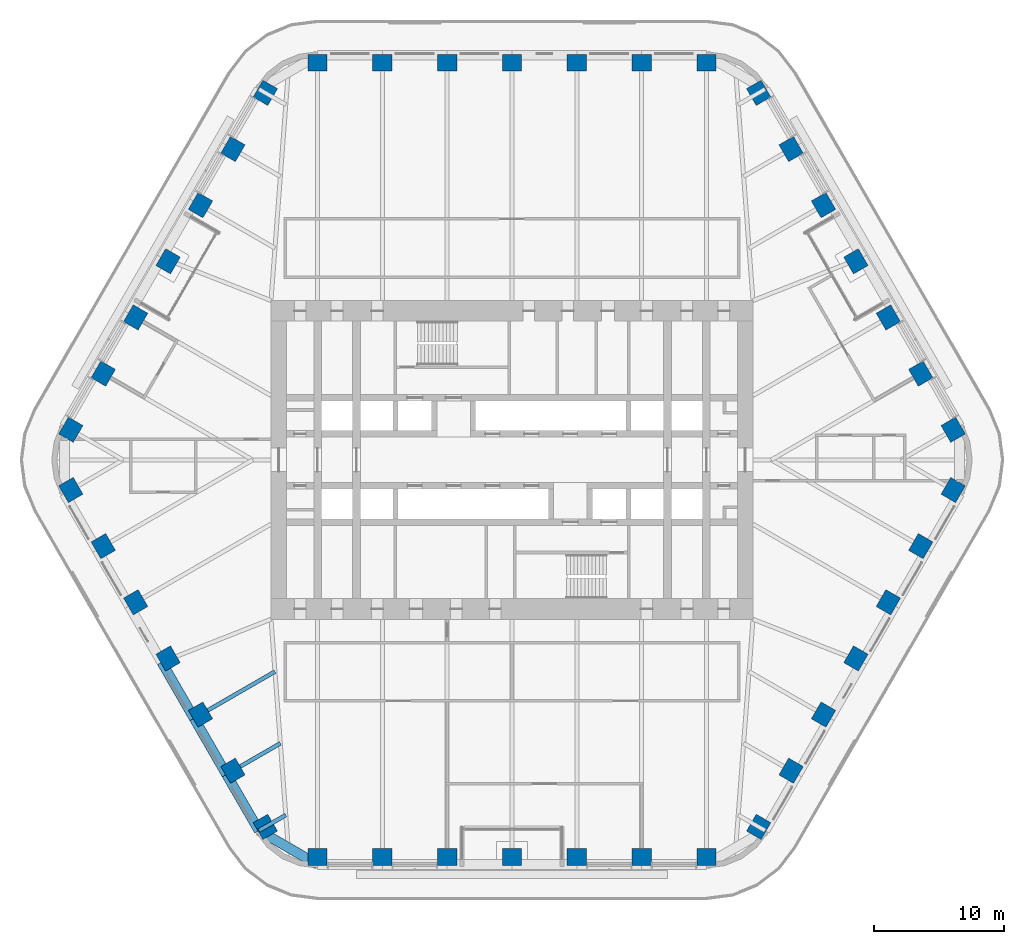
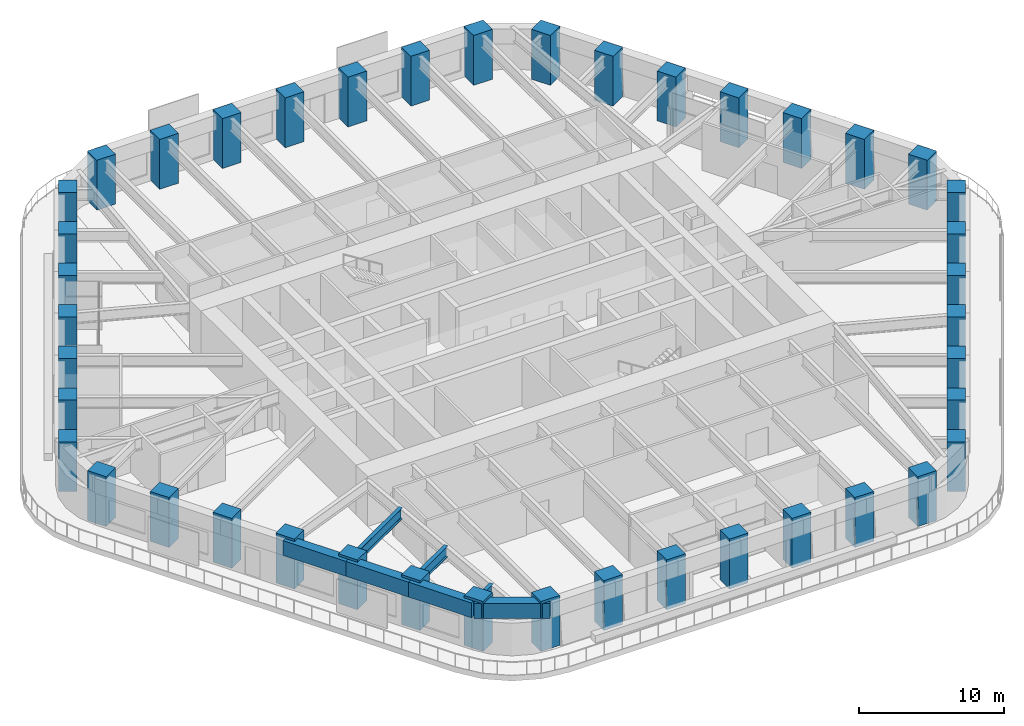
# One storey, part 1 of 24: 42 columns, 7 beams.
"""IFC4 building model written with IfcOpenShell, lengths in metres."""

from ifc_helpers import new_model, si_unit, direction, frame, origin, origin_2d, place, context, subcontext, project, spatial, rectangle, i_section, extrude, material, material_profile, profile_set, type_object, element, save


model = new_model("IFC4")

# Units and contexts
model_context = context("Model", 3, precision=1e-05, world=origin(), true_north=direction((0.0, 1.0)))
body_context = subcontext(model_context, "Body", "Model", "MODEL_VIEW")
ifc_project = project(units=[si_unit("LENGTHUNIT", "METRE"), si_unit("AREAUNIT", "SQUARE_METRE"), si_unit("VOLUMEUNIT", "CUBIC_METRE"), si_unit("PLANEANGLEUNIT", "RADIAN"), si_unit("MASSUNIT", "GRAM", prefix="KILO")], contexts=[model_context])

# Site, building, storey
site_placement = place(None, origin())
site = spatial("IfcSite", under=ifc_project, at=site_placement, CompositionType="ELEMENT")
building_placement = place(site_placement, origin())
building = spatial("IfcBuilding", under=site, at=building_placement, Name="Tarfa Lantern Tower", CompositionType="ELEMENT")
storey_placement = place(building_placement, frame((0.0, 0.0, 182.5)))
storey = spatial("IfcBuildingStorey", under=building, at=storey_placement, Name="L41", CompositionType="ELEMENT", Elevation=182.5)

# Columns
ifc_material_1 = material(Name="Concrete C80/95", Category="concrete")
ifc_material_profile_1 = material_profile(ifc_material_1, rectangle(XDim=1.5, YDim=1.300048828125, at=origin_2d()), Name="RC 1500x1300")
ifc_profile_set_1 = profile_set([ifc_material_profile_1], Name="Concrete C80/95")
column_type = type_object("IfcColumnType", Name="TC8 RC 1500x1300", PredefinedType="COLUMN", material=ifc_profile_set_1)
for number, where, z_axis, x_axis, name in (
    (1, (34.04931640625, 2.324951171875, 0.0), (0.0, 0.0, 1.0), (-0.5, 0.866025403784, 0.0), "Tube column NE0"),
    (2, (31.54736328125, 6.658447265625, 0.0), (0.0, 0.0, 1.0), (-0.5, 0.866025403784, 0.0), "Tube column NE1"),
    (3, (29.04541015625, 10.99169921875, 0.0), (0.0, 0.0, 1.0), (-0.5, 0.866025403784, 0.0), "Tube column NE2"),
    (4, (26.543701171875, 15.324951171875, 0.0), (0.0, 0.0, 1.0), (-0.5, 0.866025403784, 0.0), "Tube column NE3"),
    (5, (24.041748046875, 19.658447265625, 0.0), (0.0, 0.0, 1.0), (-0.5, 0.866025403784, 0.0), "Tube column NE4"),
    (6, (21.5400390625, 23.99169921875, 0.0), (0.0, 0.0, 1.0), (-0.5, 0.866025403784, 0.0), "Tube column NE5"),
    (7, (19.0380859375, 28.324951171875, 0.0), (0.0, 0.0, 1.0), (-0.5, 0.866025403784, 0.0), "Tube column NE6"),
    (8, (15.010986328125, 30.64990234375, 0.0), (0.0, 0.0, 1.0), (-1.0, 0.0, 0.0), "Tube column N0"),
    (9, (10.00732421875, 30.64990234375, 0.0), (0.0, 0.0, 1.0), (-1.0, 0.0, 0.0), "Tube column N1"),
    (10, (5.003662109375, 30.64990234375, 0.0), (0.0, 0.0, 1.0), (-1.0, 0.0, 0.0), "Tube column N2"),
    (11, (0.0, 30.64990234375, 0.0), (0.0, 0.0, 1.0), (-1.0, 0.0, 0.0), "Tube column N3"),
    (12, (-5.003662109375, 30.64990234375, 0.0), (0.0, 0.0, 1.0), (-1.0, 0.0, 0.0), "Tube column N4"),
    (13, (-10.00732421875, 30.64990234375, 0.0), (0.0, 0.0, 1.0), (-1.0, 0.0, 0.0), "Tube column N5"),
    (14, (-15.010986328125, 30.64990234375, 0.0), (0.0, 0.0, 1.0), (-1.0, 0.0, 0.0), "Tube column N6"),
    (15, (-19.0380859375, 28.324951171875, 0.0), (0.0, 0.0, 1.0), (-0.5, -0.866025403784, 0.0), "Tube column NW0"),
    (16, (-21.5400390625, 23.99169921875, 0.0), (0.0, 0.0, 1.0), (-0.5, -0.866025403784, 0.0), "Tube column NW1"),
    (17, (-24.041748046875, 19.658447265625, 0.0), (0.0, 0.0, 1.0), (-0.5, -0.866025403784, 0.0), "Tube column NW2"),
    (18, (-26.543701171875, 15.324951171875, 0.0), (0.0, 0.0, 1.0), (-0.5, -0.866025403784, 0.0), "Tube column NW3"),
    (19, (-29.04541015625, 10.99169921875, 0.0), (0.0, 0.0, 1.0), (-0.5, -0.866025403784, 0.0), "Tube column NW4"),
    (20, (-31.54736328125, 6.658447265625, 0.0), (0.0, 0.0, 1.0), (-0.5, -0.866025403784, 0.0), "Tube column NW5"),
    (21, (-34.04931640625, 2.324951171875, 0.0), (0.0, 0.0, 1.0), (-0.5, -0.866025403784, 0.0), "Tube column NW6"),
    (22, (-34.04931640625, -2.324951171875, 0.0), (0.0, 0.0, 1.0), (0.5, -0.866025403784, 0.0), "Tube column SW0"),
    (23, (-31.54736328125, -6.658447265625, 0.0), (0.0, 0.0, 1.0), (0.5, -0.866025403784, 0.0), "Tube column SW1"),
    (24, (-29.04541015625, -10.99169921875, 0.0), (0.0, 0.0, 1.0), (0.5, -0.866025403784, 0.0), "Tube column SW2"),
    (25, (-26.543701171875, -15.324951171875, 0.0), (0.0, 0.0, 1.0), (0.5, -0.866025403784, 0.0), "Tube column SW3"),
    (26, (-24.041748046875, -19.658447265625, 0.0), (0.0, 0.0, 1.0), (0.5, -0.866025403784, 0.0), "Tube column SW4"),
    (27, (-21.5400390625, -23.99169921875, 0.0), (0.0, 0.0, 1.0), (0.5, -0.866025403784, 0.0), "Tube column SW5"),
    (28, (-19.0380859375, -28.324951171875, 0.0), (0.0, 0.0, 1.0), (0.5, -0.866025403784, 0.0), "Tube column SW6"),
    (29, (-15.010986328125, -30.64990234375, 0.0), (0.0, 0.0, 1.0), (1.0, 0.0, 0.0), "Tube column S0"),
    (30, (-10.00732421875, -30.64990234375, 0.0), (0.0, 0.0, 1.0), (1.0, 0.0, 0.0), "Tube column S1"),
    (31, (-5.003662109375, -30.64990234375, 0.0), (0.0, 0.0, 1.0), (1.0, 0.0, 0.0), "Tube column S2"),
    (32, (0.0, -30.64990234375, 0.0), (0.0, 0.0, 1.0), (1.0, 0.0, 0.0), "Tube column S3"),
    (33, (5.003662109375, -30.64990234375, 0.0), (0.0, 0.0, 1.0), (1.0, 0.0, 0.0), "Tube column S4"),
    (34, (10.00732421875, -30.64990234375, 0.0), (0.0, 0.0, 1.0), (1.0, 0.0, 0.0), "Tube column S5"),
    (35, (15.010986328125, -30.64990234375, 0.0), (0.0, 0.0, 1.0), (1.0, 0.0, 0.0), "Tube column S6"),
    (36, (19.0380859375, -28.324951171875, 0.0), (0.0, 0.0, 1.0), (0.5, 0.866025403784, 0.0), "Tube column SE0"),
    (37, (21.5400390625, -23.99169921875, 0.0), (0.0, 0.0, 1.0), (0.5, 0.866025403784, 0.0), "Tube column SE1"),
    (38, (24.041748046875, -19.658447265625, 0.0), (0.0, 0.0, 1.0), (0.5, 0.866025403784, 0.0), "Tube column SE2"),
    (39, (26.543701171875, -15.324951171875, 0.0), (0.0, 0.0, 1.0), (0.5, 0.866025403784, 0.0), "Tube column SE3"),
    (40, (29.04541015625, -10.99169921875, 0.0), (0.0, 0.0, 1.0), (0.5, 0.866025403784, 0.0), "Tube column SE4"),
    (41, (31.54736328125, -6.658447265625, 0.0), (0.0, 0.0, 1.0), (0.5, 0.866025403784, 0.0), "Tube column SE5"),
    (42, (34.04931640625, -2.324951171875, 0.0), (0.0, 0.0, 1.0), (0.5, 0.866025403784, 0.0), "Tube column SE6"),
):
    element("IfcColumn", number, at=place(storey_placement, frame(where, z_axis=z_axis, x_axis=x_axis)), inside=storey, type_object=column_type, Name=name, PredefinedType="COLUMN", context=body_context, shape_type="SweptSolid", body=[
        extrude(rectangle(XDim=1.5, YDim=1.300048828125, at=origin_2d()), origin(), (0.0, 0.0, 1.0), 4.199951171875),
    ])

# Beams
ifc_material_profile_2 = material_profile(ifc_material_1, rectangle(XDim=0.75, YDim=1.25, at=origin_2d()), Name="RC 750x1250")
ifc_profile_set_2 = profile_set([ifc_material_profile_2], Name="Concrete C80/95")
beam_type_1 = type_object("IfcBeamType", Name="EB2 RC 750x1250", PredefinedType="SPANDREL", material=ifc_profile_set_2)
for number, where, z_axis, x_axis, name in (
    (43, (-27.037353515625, -15.610107421875, 3.375), (0.500022324899, -0.866012514114, 0.0), (0.866012514114, 0.500022324899, 0.0), "Edge beam SW3"),
    (44, (-24.535400390625, -19.943359375, 3.375), (0.49998573051, -0.866033642122, 0.0), (0.866033642122, 0.49998573051, 0.0), "Edge beam SW4"),
):
    element("IfcBeam", number, at=place(storey_placement, frame(where, z_axis=z_axis, x_axis=x_axis)), inside=storey, type_object=beam_type_1, Name=name, PredefinedType="SPANDREL", context=body_context, shape_type="SweptSolid", body=[
        extrude(rectangle(XDim=0.75, YDim=1.25, at=origin_2d()), origin(), (0.0, 0.0, 1.0), 5.003662109375),
    ])
beam_1_placement = place(storey_placement, frame((-22.03369140625, -24.276611328125, 3.375), z_axis=(0.500001197378, -0.866024712477, 0.0), x_axis=(0.866024712477, 0.500001197378, 0.0)))
element("IfcBeam", 45, at=beam_1_placement, inside=storey, type_object=beam_type_1, Name="Edge beam SW5", PredefinedType="SPANDREL", context=body_context, shape_type="SweptSolid", body=[
    extrude(rectangle(XDim=0.75, YDim=1.25, at=origin_2d()), origin(), (0.0, 0.0, 1.0), 5.00390625),
])
beam_2_placement = place(storey_placement, frame((-19.53173828125, -28.610107421875, 3.375), z_axis=(0.86604150238, -0.499972115377, 0.0), x_axis=(0.499972115377, 0.86604150238, 0.0)))
element("IfcBeam", 46, at=beam_2_placement, inside=storey, type_object=beam_type_1, Name="Edge beam SW6", PredefinedType="SPANDREL", context=body_context, shape_type="SweptSolid", body=[
    extrude(rectangle(XDim=0.75, YDim=1.25, at=origin_2d()), origin(), (0.0, 0.0, 1.0), 5.219970703125),
])
ifc_material_2 = material(Name="Steel S460M", Category="steel")
ifc_material_profile_3 = material_profile(ifc_material_2, i_section(OverallWidth=0.305419921875, OverallDepth=0.91845703125, WebThickness=0.017333984375, FlangeThickness=0.02783203125, FilletRadius=0.01904296875, at=origin_2d()), Name="UB914x305x253")
ifc_profile_set_3 = profile_set([ifc_material_profile_3], Name="Steel S460M")
beam_type_2 = type_object("IfcBeamType", Name="UB914x305x253", PredefinedType="BEAM", material=ifc_profile_set_3)
beam_3_placement = place(storey_placement, frame((-24.535400390625, -19.943359375, 3.540771484375), z_axis=(0.86602647304, 0.499998147991, 0.0), x_axis=(-0.499998147991, 0.86602647304, 0.0)))
element("IfcBeam", 47, at=beam_3_placement, inside=storey, type_object=beam_type_2, Name="Floor beam SW4", PredefinedType="BEAM", context=body_context, shape_type="SweptSolid", body=[
    extrude(i_section(OverallWidth=0.305419921875, OverallDepth=0.91845703125, WebThickness=0.017333984375, FlangeThickness=0.02783203125, FilletRadius=0.01904296875, at=origin_2d()), origin(), (0.0, 0.0, 1.0), 7.20556640625),
])
beam_4_placement = place(storey_placement, frame((-22.03369140625, -24.276611328125, 3.540771484375), z_axis=(0.866030550462, 0.499991085587, 0.0), x_axis=(-0.499991085587, 0.866030550462, 0.0)))
element("IfcBeam", 48, at=beam_4_placement, inside=storey, type_object=beam_type_2, Name="Floor beam SW5", PredefinedType="BEAM", context=body_context, shape_type="SweptSolid", body=[
    extrude(i_section(OverallWidth=0.305419921875, OverallDepth=0.91845703125, WebThickness=0.017333984375, FlangeThickness=0.02783203125, FilletRadius=0.01904296875, at=origin_2d()), origin(), (0.0, 0.0, 1.0), 4.798828125),
])
beam_5_placement = place(storey_placement, frame((-19.53173828125, -28.610107421875, 3.540771484375), z_axis=(0.865998640954, 0.500046351717, 0.0), x_axis=(-0.500046351717, 0.865998640954, 0.0)))
element("IfcBeam", 49, at=beam_5_placement, inside=storey, type_object=beam_type_2, Name="Floor beam SW6", PredefinedType="BEAM", context=body_context, shape_type="SweptSolid", body=[
    extrude(i_section(OverallWidth=0.305419921875, OverallDepth=0.91845703125, WebThickness=0.017333984375, FlangeThickness=0.02783203125, FilletRadius=0.01904296875, at=origin_2d()), origin(), (0.0, 0.0, 1.0), 2.392333984375),
])

save(model, "model.ifc")
